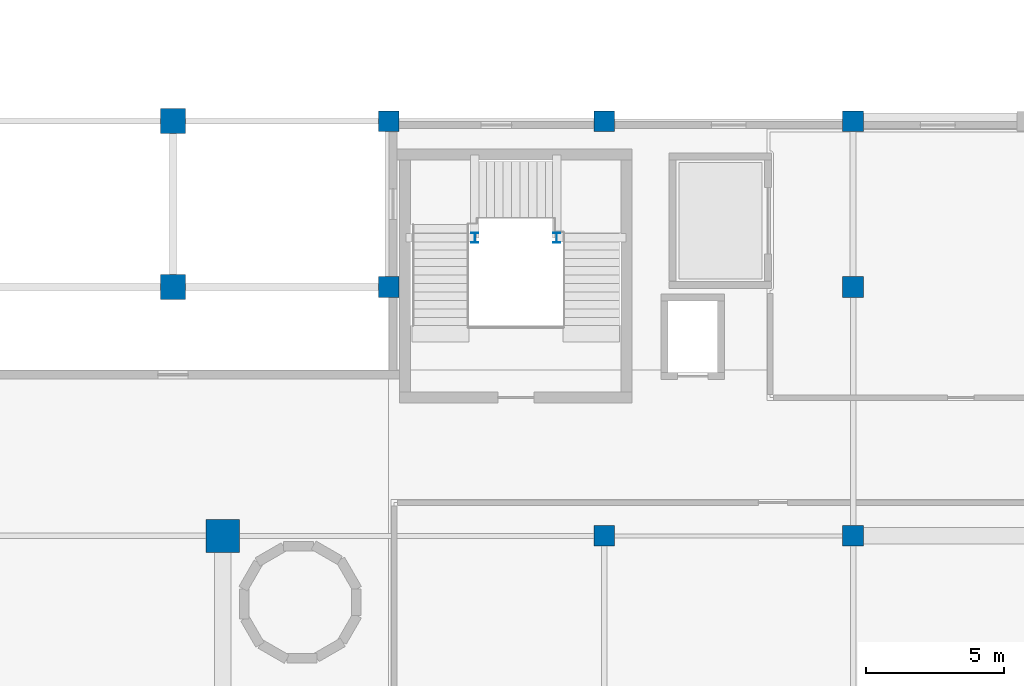
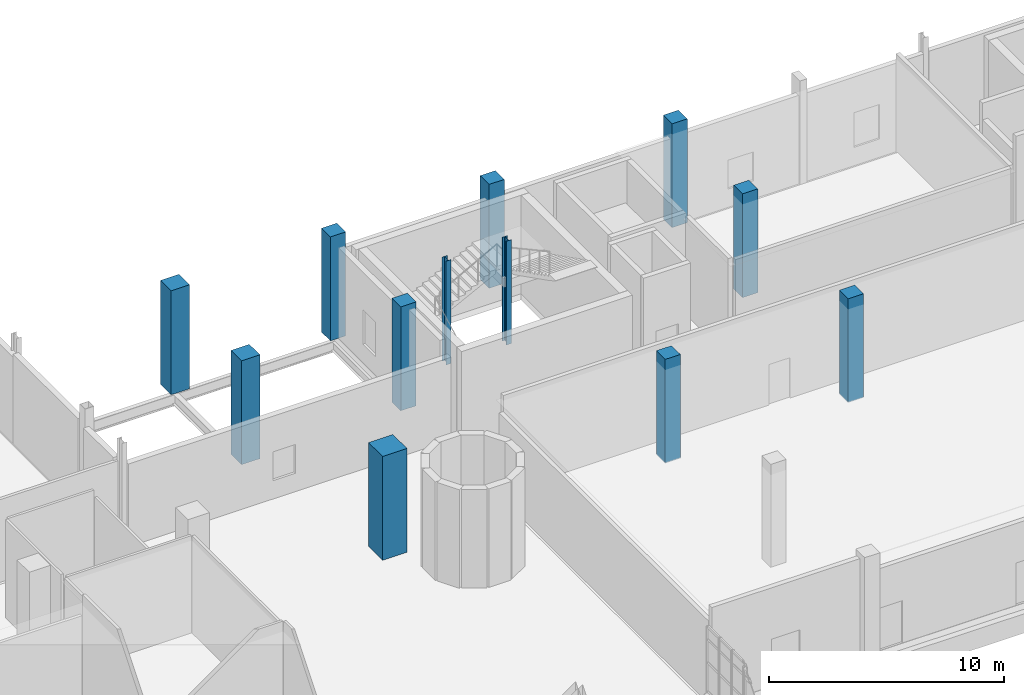
# One storey, part 8 of 57: 12 columns.
"""IFC4 building model written with IfcOpenShell, lengths in metres."""

from ifc_helpers import new_model, si_unit, derived_unit, direction, frame, origin, origin_2d, place, context, subcontext, project, spatial, rectangle, i_section, extrude, material, material_profile, profile_set, type_object, element, save


model = new_model("IFC4")

# Units and contexts
model_context = context("Model", 3, precision=1e-05, world=origin(), true_north=direction((0.0, 1.0)))
body_context = subcontext(model_context, "Body", "Model", "MODEL_VIEW")
ifc_project = project(units=[si_unit("LENGTHUNIT", "METRE"), si_unit("AREAUNIT", "SQUARE_METRE"), si_unit("VOLUMEUNIT", "CUBIC_METRE"), si_unit("PLANEANGLEUNIT", "RADIAN"), si_unit("MASSUNIT", "GRAM", prefix="KILO"), derived_unit("THERMALTRANSMITTANCEUNIT", [(si_unit("POWERUNIT", "WATT"), 1), (si_unit("LENGTHUNIT", "METRE"), -2), (si_unit("THERMODYNAMICTEMPERATUREUNIT", "KELVIN"), -1)])], contexts=[model_context])

# Site, building, storey
site_placement = place(None, origin())
site = spatial("IfcSite", under=ifc_project, at=site_placement, CompositionType="ELEMENT")
building_placement = place(site_placement, origin())
building = spatial("IfcBuilding", under=site, at=building_placement, Name="Nallur Shell Playhouse", CompositionType="ELEMENT")
storey_placement = place(building_placement, origin())
storey = spatial("IfcBuildingStorey", under=building, at=storey_placement, Name="L01", CompositionType="ELEMENT", Elevation=0.0)

# Columns
ifc_material_1 = material(Name="Concrete M45", Category="concrete")
ifc_material_profile_1 = material_profile(ifc_material_1, rectangle(XDim=1.199951171875, YDim=1.199951171875, at=origin_2d()), Name="RC 1200x1200")
ifc_profile_set_1 = profile_set([ifc_material_profile_1], Name="Concrete M45")
column_type_1 = type_object("IfcColumnType", Name="CL-RC-1200", PredefinedType="COLUMN", material=ifc_profile_set_1)
column_placement = place(storey_placement, frame((112.60009765625, 41.0, 0.0), z_axis=(0.0, 0.0, 1.0), x_axis=(1.0, 0.0, 0.0)))
element("IfcColumn", 1, at=column_placement, inside=storey, type_object=column_type_1, Name="Column MC6N (L01)", PredefinedType="COLUMN", context=body_context, shape_type="SweptSolid", body=[
    extrude(rectangle(XDim=1.199951171875, YDim=1.199951171875, at=origin_2d()), origin(), (0.0, 0.0, 1.0), 5.39990234375),
])
ifc_material_2 = material(Name="Concrete M40", Category="concrete")
ifc_material_profile_2 = material_profile(ifc_material_2, rectangle(XDim=0.75, YDim=0.75, at=origin_2d()), Name="RC 750x750")
ifc_profile_set_2 = profile_set([ifc_material_profile_2], Name="Concrete M40")
column_type_2 = type_object("IfcColumnType", Name="CL-RC-750", PredefinedType="COLUMN", material=ifc_profile_set_2)
for number, where, z_axis, x_axis, name in (
    (2, (118.60009765625, 50.0, 0.0), (0.0, 0.0, 1.0), (1.0, 0.0, 0.0), "Column 15-F (L01)"),
    (3, (118.60009765625, 56.0, 0.0), (0.0, 0.0, 1.0), (1.0, 0.0, 0.0), "Column 15-G (L01)"),
    (4, (126.39990234375, 41.0, 0.0), (0.0, 0.0, 1.0), (1.0, 0.0, 0.0), "Column 16-E (L01)"),
    (5, (126.39990234375, 56.0, 0.0), (0.0, 0.0, 1.0), (1.0, 0.0, 0.0), "Column 16-G (L01)"),
    (6, (135.39990234375, 41.0, 0.0), (0.0, 0.0, 1.0), (1.0, 0.0, 0.0), "Column 17-E (L01)"),
    (7, (135.39990234375, 50.0, 0.0), (0.0, 0.0, 1.0), (1.0, 0.0, 0.0), "Column 17-F (L01)"),
    (8, (135.39990234375, 56.0, 0.0), (0.0, 0.0, 1.0), (1.0, 0.0, 0.0), "Column 17-G (L01)"),
):
    element("IfcColumn", number, at=place(storey_placement, frame(where, z_axis=z_axis, x_axis=x_axis)), inside=storey, type_object=column_type_2, Name=name, PredefinedType="COLUMN", context=body_context, shape_type="SweptSolid", body=[
        extrude(rectangle(XDim=0.75, YDim=0.75, at=origin_2d()), origin(), (0.0, 0.0, 1.0), 5.39990234375),
    ])
ifc_material_profile_3 = material_profile(ifc_material_2, rectangle(XDim=0.89990234375, YDim=0.89990234375, at=origin_2d()), Name="RC 900x900")
ifc_profile_set_3 = profile_set([ifc_material_profile_3], Name="Concrete M40")
column_type_3 = type_object("IfcColumnType", Name="CL-RC-900", PredefinedType="COLUMN", material=ifc_profile_set_3)
for number, where, z_axis, x_axis, name in (
    (9, (110.800048828125, 50.0, 0.0), (0.0, 0.0, 1.0), (1.0, 0.0, 0.0), "Column 14-F (L01)"),
    (10, (110.800048828125, 56.0, 0.0), (0.0, 0.0, 1.0), (1.0, 0.0, 0.0), "Column 14-G (L01)"),
):
    element("IfcColumn", number, at=place(storey_placement, frame(where, z_axis=z_axis, x_axis=x_axis)), inside=storey, type_object=column_type_3, Name=name, PredefinedType="COLUMN", context=body_context, shape_type="SweptSolid", body=[
        extrude(rectangle(XDim=0.89990234375, YDim=0.89990234375, at=origin_2d()), origin(), (0.0, 0.0, 1.0), 5.39990234375),
    ])
ifc_material_3 = material(Name="Steel E350", Category="steel")
ifc_material_profile_4 = material_profile(ifc_material_3, i_section(OverallWidth=0.25, OverallDepth=0.35009765625, WebThickness=0.010009765625, FlangeThickness=0.01171875, FilletRadius=0.011962890625, at=origin_2d()), Name="ISHB 350")
ifc_profile_set_4 = profile_set([ifc_material_profile_4], Name="Steel E350")
column_type_4 = type_object("IfcColumnType", Name="CL-ST-ISHB350", PredefinedType="COLUMN", material=ifc_profile_set_4)
for number, where, z_axis, x_axis, name in (
    (11, (121.719970703125, 51.780029296875, 0.0), (0.0, 0.0, 1.0), (1.0, 0.0, 0.0), "Column STW-JC-2-W (L01)"),
    (12, (124.679931640625, 51.780029296875, 0.0), (0.0, 0.0, 1.0), (1.0, 0.0, 0.0), "Column STW-JC-2-E (L01)"),
):
    element("IfcColumn", number, at=place(storey_placement, frame(where, z_axis=z_axis, x_axis=x_axis)), inside=storey, type_object=column_type_4, Name=name, PredefinedType="COLUMN", context=body_context, shape_type="SweptSolid", body=[
        extrude(i_section(OverallWidth=0.25, OverallDepth=0.35009765625, WebThickness=0.010009765625, FlangeThickness=0.01171875, FilletRadius=0.011962890625, at=origin_2d()), origin(), (0.0, 0.0, 1.0), 5.39990234375),
    ])

save(model, "model.ifc")
